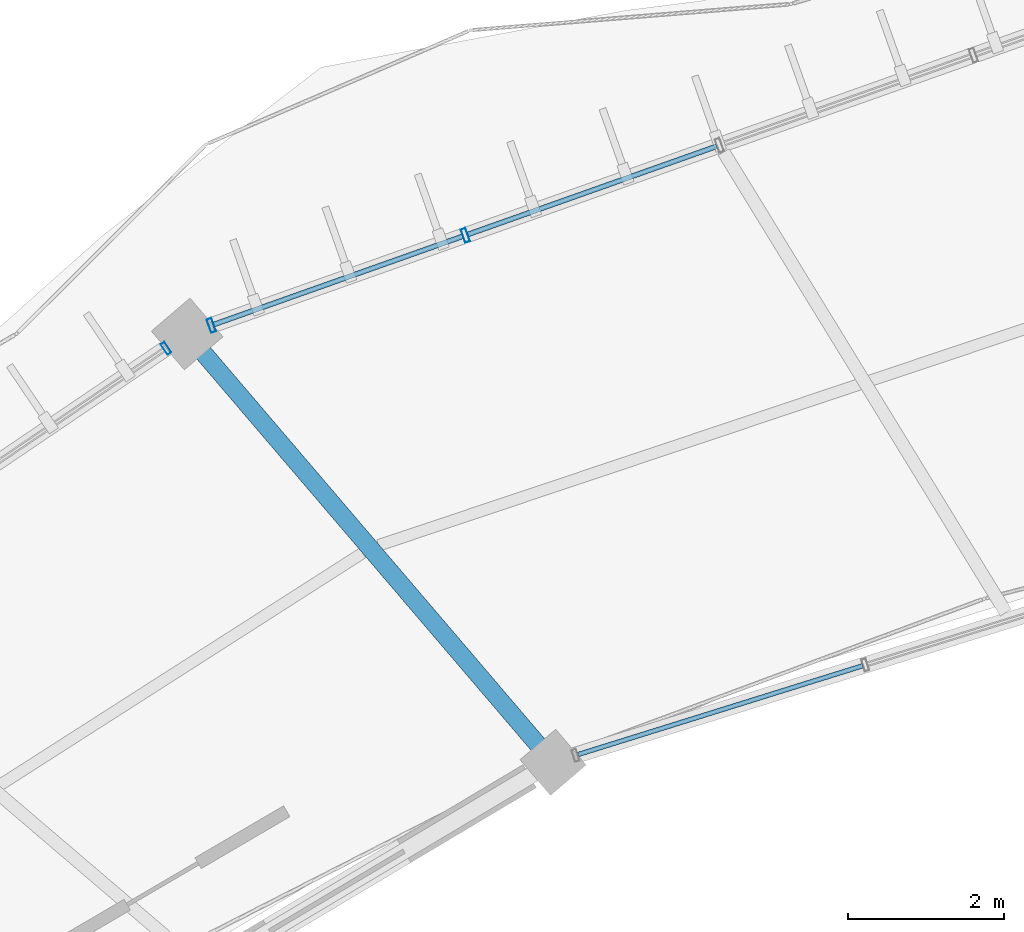
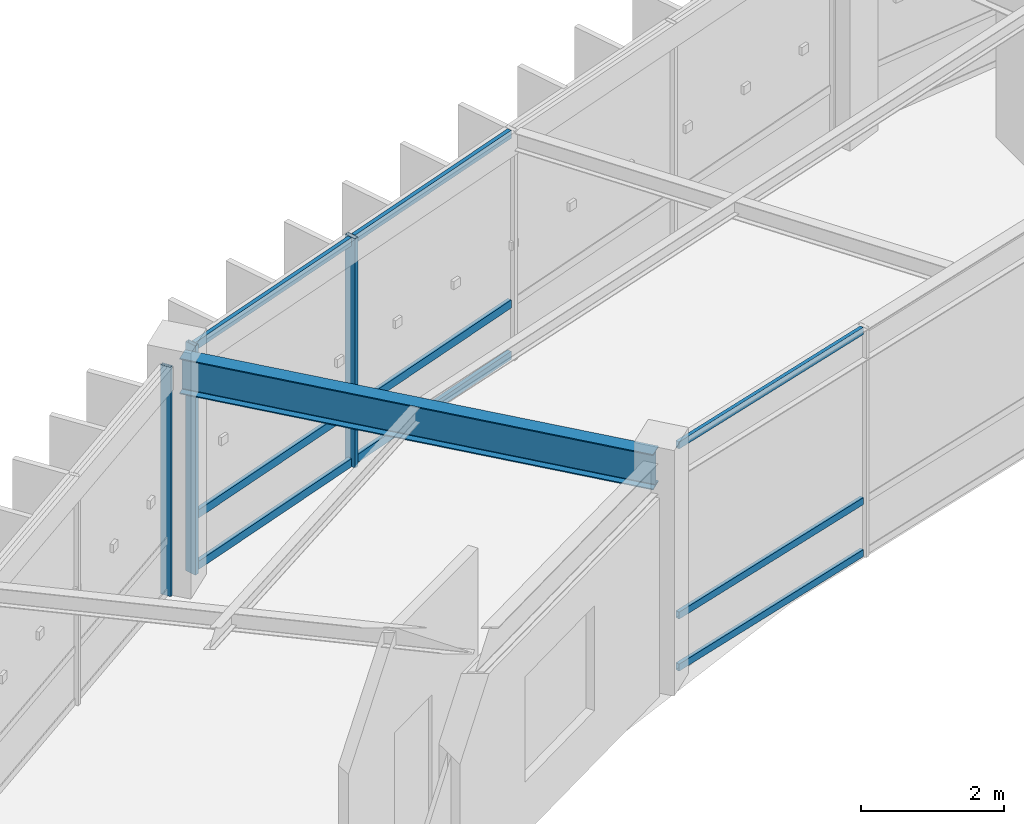
# One storey, part 42 of 114: 12 members, 1 beam, 3 elements without a shape of their own.
"""IFC4 building model written with IfcOpenShell, lengths in metres."""

from ifc_helpers import new_model, si_unit, direction, frame, origin, origin_2d, place, context, subcontext, project, spatial, hollow_rectangle, i_section, extrude, material, material_profile, profile_set, type_object, element, aggregate, save


model = new_model("IFC4")

# Units and contexts
model_context = context("Model", 3, precision=1e-05, world=origin(), true_north=direction((0.0, 1.0)))
body_context = subcontext(model_context, "Body", "Model", "MODEL_VIEW")
ifc_project = project(units=[si_unit("LENGTHUNIT", "METRE"), si_unit("AREAUNIT", "SQUARE_METRE"), si_unit("VOLUMEUNIT", "CUBIC_METRE"), si_unit("PLANEANGLEUNIT", "RADIAN"), si_unit("MASSUNIT", "GRAM", prefix="KILO"), si_unit("THERMODYNAMICTEMPERATUREUNIT", "KELVIN"), si_unit("POWERUNIT", "WATT")], contexts=[model_context])

# Site, building, storey
site_placement = place(None, origin())
site = spatial("IfcSite", under=ifc_project, at=site_placement, CompositionType="ELEMENT")
building_placement = place(site_placement, origin())
building = spatial("IfcBuilding", under=site, at=building_placement, Name="Darbajah Civic Hall", CompositionType="ELEMENT")
storey_placement = place(building_placement, frame((0.0, 0.0, 13.800048828125)))
storey = spatial("IfcBuildingStorey", under=building, at=storey_placement, Name="L03", CompositionType="ELEMENT", Elevation=13.800048828125)

# Curtain wall, member
ifc_material_1 = material(Name="Anodised Bronze Aluminium and Low-E Glazing", Category="aluminium")
curtain_wall_type_1 = type_object("IfcCurtainWallType", Name="Unitised Curtain Wall CW-58 11900x3900", PredefinedType="USERDEFINED", material=ifc_material_1)
curtain_wall_1_placement = place(storey_placement, origin())
curtain_wall_1 = element("IfcCurtainWall", 1, at=curtain_wall_1_placement, inside=storey, type_object=curtain_wall_type_1, Name="L03 unitised curtain wall CW-V1O-L03-07", ObjectType="UNITISED CURTAIN WALL", PredefinedType="USERDEFINED")
ifc_material_2 = material(Name="Anodised Bronze Aluminium", Category="aluminium")
ifc_material_profile_1 = material_profile(ifc_material_2, hollow_rectangle(XDim=0.06005859375, YDim=0.159912109375, WallThickness=0.00341796875, at=origin_2d()), Name="ALU MULLION 60x160")
ifc_profile_set_1 = profile_set([ifc_material_profile_1], Name="Anodised Bronze Aluminium")
member_type_1 = type_object("IfcMemberType", Name="ALU MULLION 60x160", PredefinedType="MULLION", material=ifc_profile_set_1)
member_1_placement = place(storey_placement, frame((55.70751953125, 112.048583984375, 0.0), z_axis=(0.0, 0.0, 1.0), x_axis=(-0.827962472047, -0.560783509816, 0.0)))
member_1 = element("IfcMember", 2, at=member_1_placement, type_object=member_type_1, Name="CW-V1O-L03-07 mullion 1", PredefinedType="MULLION", context=body_context, shape_type="SweptSolid", body=[
    extrude(hollow_rectangle(XDim=0.06005859375, YDim=0.159912109375, WallThickness=0.00341796875, at=origin_2d()), origin(), (0.0, 0.0, 1.0), 3.919921875),
])
aggregate(curtain_wall_1, [member_1])

# Curtain wall, members
curtain_wall_type_2 = type_object("IfcCurtainWallType", Name="Unitised Curtain Wall CW-57 13800x3900", PredefinedType="USERDEFINED", material=ifc_material_1)
curtain_wall_2_placement = place(storey_placement, origin())
curtain_wall_2 = element("IfcCurtainWall", 3, at=curtain_wall_2_placement, inside=storey, type_object=curtain_wall_type_2, Name="L03 unitised curtain wall CW-V1O-L03-06", ObjectType="UNITISED CURTAIN WALL", PredefinedType="USERDEFINED")
ifc_material_profile_2 = material_profile(ifc_material_2, hollow_rectangle(XDim=0.06494140625, YDim=0.179931640625, WallThickness=0.00390625, at=origin_2d()), Name="ALU MULLION 65x180")
ifc_profile_set_2 = profile_set([ifc_material_profile_2], Name="Anodised Bronze Aluminium")
member_type_2 = type_object("IfcMemberType", Name="ALU MULLION 65x180", PredefinedType="MULLION", material=ifc_profile_set_2)
member_2_placement = place(storey_placement, frame((59.533447265625, 113.4921875, 0.0), z_axis=(0.0, 0.0, 1.0), x_axis=(-0.94252491309, -0.334135882844, 0.0)))
member_2 = element("IfcMember", 4, at=member_2_placement, type_object=member_type_2, Name="CW-V1O-L03-06 mullion 4", PredefinedType="MULLION", context=body_context, shape_type="SweptSolid", body=[
    extrude(hollow_rectangle(XDim=0.06494140625, YDim=0.179931640625, WallThickness=0.00390625, at=origin_2d()), origin(), (0.0, 0.0, 1.0), 3.919921875),
])
member_3_placement = place(storey_placement, frame((56.286376953125, 112.34130859375, 0.0), z_axis=(0.0, 0.0, 1.0), x_axis=(-0.94252491309, -0.334135882844, 0.0)))
member_3 = element("IfcMember", 5, at=member_3_placement, type_object=member_type_2, Name="CW-V1O-L03-06 mullion 5", PredefinedType="MULLION", context=body_context, shape_type="SweptSolid", body=[
    extrude(hollow_rectangle(XDim=0.06494140625, YDim=0.179931640625, WallThickness=0.00390625, at=origin_2d()), origin(), (0.0, 0.0, 1.0), 3.919921875),
])

curtain_wall_type_3 = type_object("IfcCurtainWallType", Name="Unitised Curtain Wall CW-43 11600x3900", PredefinedType="USERDEFINED", material=ifc_material_1)
curtain_wall_3_placement = place(storey_placement, origin())
curtain_wall_3 = element("IfcCurtainWall", 6, at=curtain_wall_3_placement, inside=storey, type_object=curtain_wall_type_3, Name="L03 unitised curtain wall CW-V1I-L03-06", ObjectType="UNITISED CURTAIN WALL", PredefinedType="USERDEFINED")
ifc_material_profile_3 = material_profile(ifc_material_2, hollow_rectangle(XDim=0.06005859375, YDim=0.1201171875, WallThickness=0.003173828125, at=origin_2d()), Name="ALU TRANSOM 60x120")
ifc_profile_set_3 = profile_set([ifc_material_profile_3], Name="Anodised Bronze Aluminium")
member_type_3 = type_object("IfcMemberType", Name="ALU TRANSOM 60x120", PredefinedType="USERDEFINED", material=ifc_profile_set_3)
member_4_placement = place(storey_placement, frame((64.61181640625, 107.99169921875, 0.06005859375), z_axis=(-0.95462699316, -0.297804136858, 0.0), x_axis=(0.297804136858, -0.95462699316, 0.0)))
member_4 = element("IfcMember", 7, at=member_4_placement, type_object=member_type_3, Name="CW-V1I-L03-06 transom 3.1", ObjectType="TRANSOM", PredefinedType="USERDEFINED", context=body_context, shape_type="SweptSolid", body=[
    extrude(hollow_rectangle(XDim=0.06005859375, YDim=0.1201171875, WallThickness=0.003173828125, at=origin_2d()), origin(), (0.0, 0.0, 1.0), 3.808837890625),
])
member_5_placement = place(storey_placement, frame((64.61181640625, 107.99169921875, 0.949951171875), z_axis=(-0.95462699316, -0.297804136858, 0.0), x_axis=(0.297804136858, -0.95462699316, 0.0)))
member_5 = element("IfcMember", 8, at=member_5_placement, type_object=member_type_3, Name="CW-V1I-L03-06 transom 3.2", ObjectType="TRANSOM", PredefinedType="USERDEFINED", context=body_context, shape_type="SweptSolid", body=[
    extrude(hollow_rectangle(XDim=0.06005859375, YDim=0.1201171875, WallThickness=0.003173828125, at=origin_2d()), origin(), (0.0, 0.0, 1.0), 3.808837890625),
])
member_6_placement = place(storey_placement, frame((64.61181640625, 107.99169921875, 3.85986328125), z_axis=(-0.95462699316, -0.297804136858, 0.0), x_axis=(0.297804136858, -0.95462699316, 0.0)))
member_6 = element("IfcMember", 9, at=member_6_placement, type_object=member_type_3, Name="CW-V1I-L03-06 transom 3.3", ObjectType="TRANSOM", PredefinedType="USERDEFINED", context=body_context, shape_type="SweptSolid", body=[
    extrude(hollow_rectangle(XDim=0.06005859375, YDim=0.1201171875, WallThickness=0.003173828125, at=origin_2d()), origin(), (0.0, 0.0, 1.0), 3.808837890625),
])
aggregate(curtain_wall_3, [member_4, member_5, member_6])

# Member
ifc_material_profile_4 = material_profile(ifc_material_2, hollow_rectangle(XDim=0.06494140625, YDim=0.139892578125, WallThickness=0.00341796875, at=origin_2d()), Name="ALU TRANSOM 65x140")
ifc_profile_set_4 = profile_set([ifc_material_profile_4], Name="Anodised Bronze Aluminium")
member_type_4 = type_object("IfcMemberType", Name="ALU TRANSOM 65x140", PredefinedType="USERDEFINED", material=ifc_profile_set_4)
member_7_placement = place(storey_placement, frame((62.745361328125, 114.630615234375, 0.070068359375), z_axis=(-0.942537428341, -0.334100577935, 0.0), x_axis=(0.334100577935, -0.942537428341, 0.0)))
member_7 = element("IfcMember", 10, at=member_7_placement, type_object=member_type_4, Name="CW-V1O-L03-06 transom 3.1", ObjectType="TRANSOM", PredefinedType="USERDEFINED", context=body_context, shape_type="SweptSolid", body=[
    extrude(hollow_rectangle(XDim=0.06494140625, YDim=0.139892578125, WallThickness=0.00341796875, at=origin_2d()), origin(), (0.0, 0.0, 1.0), 3.3701171875),
])

member_8_placement = place(storey_placement, frame((62.745361328125, 114.630615234375, 0.949951171875), z_axis=(-0.942537428341, -0.334100577935, 0.0), x_axis=(0.334100577935, -0.942537428341, 0.0)))
member_8 = element("IfcMember", 11, at=member_8_placement, type_object=member_type_4, Name="CW-V1O-L03-06 transom 3.2", ObjectType="TRANSOM", PredefinedType="USERDEFINED", context=body_context, shape_type="SweptSolid", body=[
    extrude(hollow_rectangle(XDim=0.06494140625, YDim=0.139892578125, WallThickness=0.00341796875, at=origin_2d()), origin(), (0.0, 0.0, 1.0), 3.3701171875),
])

member_9_placement = place(storey_placement, frame((62.745361328125, 114.630615234375, 3.849853515625), z_axis=(-0.942537428341, -0.334100577935, 0.0), x_axis=(0.334100577935, -0.942537428341, 0.0)))
member_9 = element("IfcMember", 12, at=member_9_placement, type_object=member_type_4, Name="CW-V1O-L03-06 transom 3.3", ObjectType="TRANSOM", PredefinedType="USERDEFINED", context=body_context, shape_type="SweptSolid", body=[
    extrude(hollow_rectangle(XDim=0.06494140625, YDim=0.139892578125, WallThickness=0.00341796875, at=origin_2d()), origin(), (0.0, 0.0, 1.0), 3.3701171875),
])

member_10_placement = place(storey_placement, frame((59.498046875, 113.479736328125, 0.070068359375), z_axis=(-0.942537428341, -0.334100577935, 0.0), x_axis=(0.334100577935, -0.942537428341, 0.0)))
member_10 = element("IfcMember", 13, at=member_10_placement, type_object=member_type_4, Name="CW-V1O-L03-06 transom 4.1", ObjectType="TRANSOM", PredefinedType="USERDEFINED", context=body_context, shape_type="SweptSolid", body=[
    extrude(hollow_rectangle(XDim=0.06494140625, YDim=0.139892578125, WallThickness=0.00341796875, at=origin_2d()), origin(), (0.0, 0.0, 1.0), 3.3701171875),
])

member_11_placement = place(storey_placement, frame((59.498046875, 113.479736328125, 0.949951171875), z_axis=(-0.942537428341, -0.334100577935, 0.0), x_axis=(0.334100577935, -0.942537428341, 0.0)))
member_11 = element("IfcMember", 14, at=member_11_placement, type_object=member_type_4, Name="CW-V1O-L03-06 transom 4.2", ObjectType="TRANSOM", PredefinedType="USERDEFINED", context=body_context, shape_type="SweptSolid", body=[
    extrude(hollow_rectangle(XDim=0.06494140625, YDim=0.139892578125, WallThickness=0.00341796875, at=origin_2d()), origin(), (0.0, 0.0, 1.0), 3.3701171875),
])

member_12_placement = place(storey_placement, frame((59.498046875, 113.479736328125, 3.849853515625), z_axis=(-0.942537428341, -0.334100577935, 0.0), x_axis=(0.334100577935, -0.942537428341, 0.0)))
member_12 = element("IfcMember", 15, at=member_12_placement, type_object=member_type_4, Name="CW-V1O-L03-06 transom 4.3", ObjectType="TRANSOM", PredefinedType="USERDEFINED", context=body_context, shape_type="SweptSolid", body=[
    extrude(hollow_rectangle(XDim=0.06494140625, YDim=0.139892578125, WallThickness=0.00341796875, at=origin_2d()), origin(), (0.0, 0.0, 1.0), 3.3701171875),
])

aggregate(curtain_wall_2, [member_2, member_3, member_7, member_8, member_9, member_10, member_11, member_12])

# Beam
ifc_material_3 = material(Name="Steel S355JR", Category="steel")
ifc_material_profile_5 = material_profile(ifc_material_3, i_section(OverallWidth=0.228271484375, OverallDepth=0.607666015625, WebThickness=0.010986328125, FlangeThickness=0.017333984375, FilletRadius=0.0126953125, at=origin_2d()), Name="UB 610x229x113")
ifc_profile_set_5 = profile_set([ifc_material_profile_5], Name="Steel S355JR")
beam_type = type_object("IfcBeamType", Name="UB 610x229x113", PredefinedType="BEAM", material=ifc_profile_set_5)
beam_placement = place(storey_placement, frame((60.602294921875, 106.81787109375, 3.6162109375), z_axis=(-0.649459534081, 0.760396155692, 0.0), x_axis=(-0.760396155692, -0.649459534081, 0.0)))
element("IfcBeam", 16, at=beam_placement, inside=storey, type_object=beam_type, Name="L03 beam SB-610", PredefinedType="BEAM", context=body_context, shape_type="SweptSolid", body=[
    extrude(i_section(OverallWidth=0.228271484375, OverallDepth=0.607666015625, WebThickness=0.010986328125, FlangeThickness=0.017333984375, FilletRadius=0.0126953125, at=origin_2d()), origin(), (0.0, 0.0, 1.0), 7.0400390625),
])

save(model, "model.ifc")
